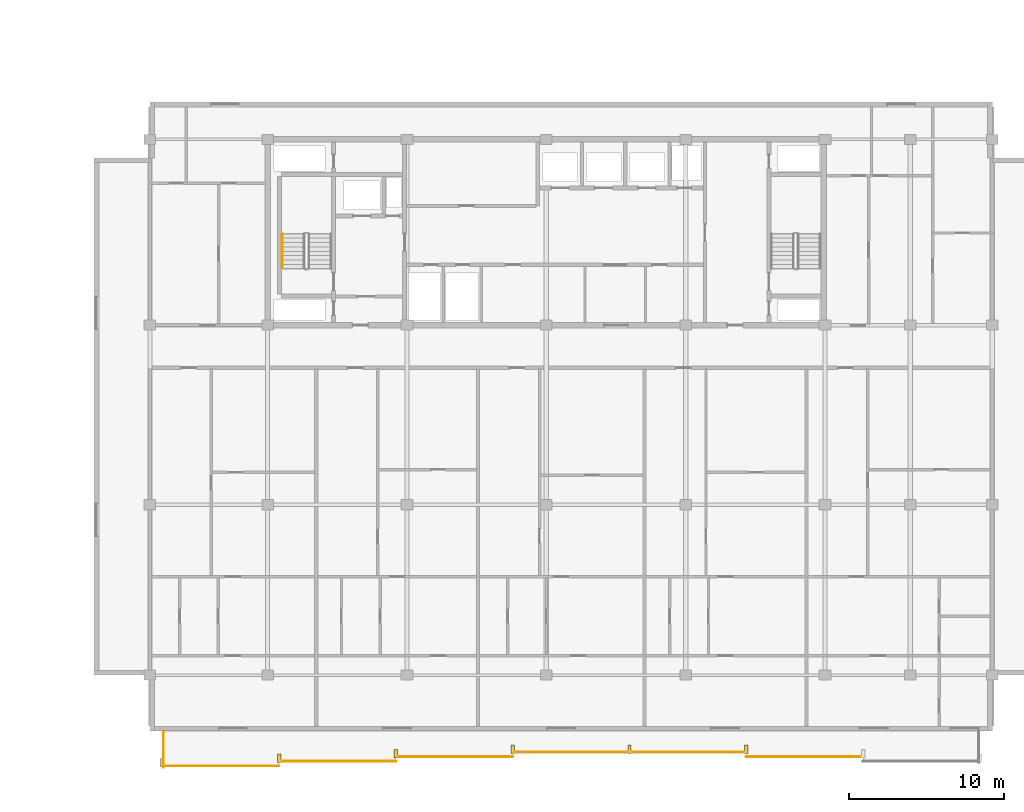
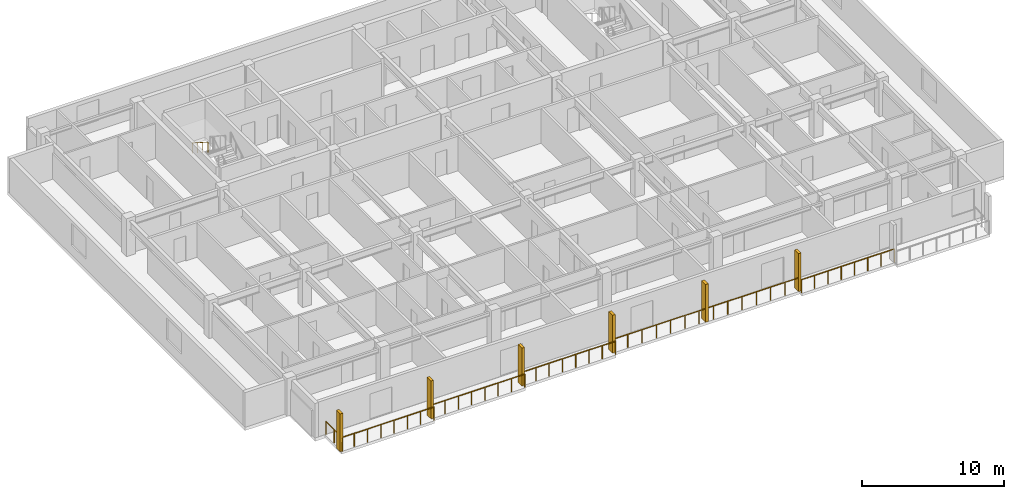
# One storey, part 17 of 21: 7 railings, 6 shading devices.
"""IFC4 building model written with IfcOpenShell, lengths in metres."""

from ifc_helpers import new_model, si_unit, direction, frame, origin, origin_2d, place, context, subcontext, project, spatial, rectangle, circle, extrude, material, type_object, element, save


model = new_model("IFC4")

# Units and contexts
model_context = context("Model", 3, precision=1e-05, world=origin(), true_north=direction((0.0, 1.0)))
body_context = subcontext(model_context, "Body", "Model", "MODEL_VIEW")
ifc_project = project(units=[si_unit("LENGTHUNIT", "METRE"), si_unit("AREAUNIT", "SQUARE_METRE"), si_unit("VOLUMEUNIT", "CUBIC_METRE"), si_unit("PLANEANGLEUNIT", "RADIAN"), si_unit("MASSUNIT", "GRAM", prefix="KILO")], contexts=[model_context])

# Site, building, storey
site_placement = place(None, origin())
site = spatial("IfcSite", under=ifc_project, at=site_placement, CompositionType="ELEMENT")
building_placement = place(site_placement, origin())
building = spatial("IfcBuilding", under=site, at=building_placement, Name="Korimba Cascade Residences", CompositionType="ELEMENT")
storey_placement = place(building_placement, frame((0.0, 0.0, 175.10009765625)))
storey = spatial("IfcBuildingStorey", under=building, at=storey_placement, Name="L50", CompositionType="ELEMENT", Elevation=175.10009765625)

# Railings
ifc_material_1 = material(Name="Laminated Glass and Bronze Balustrade", Category="glass")
railing_type_1 = type_object("IfcRailingType", Name="RLG-LOG-1150", PredefinedType="BALUSTRADE", material=ifc_material_1)
railing_1_placement = place(storey_placement, frame((75.300048828125, -10.070068359375, 0.0)))
element("IfcRailing", 1, at=railing_1_placement, inside=storey, type_object=railing_type_1, Name="L50 Perimeter Guardrail RLG-L50-T2-LOG-01", PredefinedType="BALUSTRADE", context=body_context, shape_type="SweptSolid", body=[
    extrude(circle(Radius=0.02392578125, at=origin_2d()), frame((0.0, 0.0, 1.1259765625), z_axis=(1.0, 0.0, 0.0), x_axis=(0.0, 1.0, 0.0)), (0.0, 0.0, 1.0), 7.54296875),
    extrude(circle(Radius=0.02099609375, at=origin_2d()), origin(), (0.0, 0.0, 1.0), 1.101806640625),
    extrude(circle(Radius=0.02099609375, at=origin_2d()), frame((1.07763671875, 0.0, 0.0)), (0.0, 0.0, 1.0), 1.101806640625),
    extrude(circle(Radius=0.02099609375, at=origin_2d()), frame((2.155029296875, 0.0, 0.0)), (0.0, 0.0, 1.0), 1.101806640625),
    extrude(circle(Radius=0.02099609375, at=origin_2d()), frame((3.232666015625, 0.0, 0.0)), (0.0, 0.0, 1.0), 1.101806640625),
    extrude(circle(Radius=0.02099609375, at=origin_2d()), frame((4.310302734375, 0.0, 0.0)), (0.0, 0.0, 1.0), 1.101806640625),
    extrude(circle(Radius=0.02099609375, at=origin_2d()), frame((5.387939453125, 0.0, 0.0)), (0.0, 0.0, 1.0), 1.101806640625),
    extrude(circle(Radius=0.02099609375, at=origin_2d()), frame((6.46533203125, 0.0, 0.0)), (0.0, 0.0, 1.0), 1.101806640625),
    extrude(circle(Radius=0.02099609375, at=origin_2d()), frame((7.54296875, 0.0, 0.0)), (0.0, 0.0, 1.0), 1.101806640625),
])
railing_2_placement = place(storey_placement, frame((82.843017578125, -9.77001953125, 0.0)))
element("IfcRailing", 2, at=railing_2_placement, inside=storey, type_object=railing_type_1, Name="L50 Perimeter Guardrail RLG-L50-T2-LOG-02", PredefinedType="BALUSTRADE", context=body_context, shape_type="SweptSolid", body=[
    extrude(circle(Radius=0.02392578125, at=origin_2d()), frame((0.0, 0.0, 1.1259765625), z_axis=(1.0, 0.0, 0.0), x_axis=(0.0, 1.0, 0.0)), (0.0, 0.0, 1.0), 7.542724609375),
    extrude(circle(Radius=0.02099609375, at=origin_2d()), origin(), (0.0, 0.0, 1.0), 1.101806640625),
    extrude(circle(Radius=0.02099609375, at=origin_2d()), frame((1.07763671875, 0.0, 0.0)), (0.0, 0.0, 1.0), 1.101806640625),
    extrude(circle(Radius=0.02099609375, at=origin_2d()), frame((2.155029296875, 0.0, 0.0)), (0.0, 0.0, 1.0), 1.101806640625),
    extrude(circle(Radius=0.02099609375, at=origin_2d()), frame((3.232666015625, 0.0, 0.0)), (0.0, 0.0, 1.0), 1.101806640625),
    extrude(circle(Radius=0.02099609375, at=origin_2d()), frame((4.31005859375, 0.0, 0.0)), (0.0, 0.0, 1.0), 1.101806640625),
    extrude(circle(Radius=0.02099609375, at=origin_2d()), frame((5.3876953125, 0.0, 0.0)), (0.0, 0.0, 1.0), 1.101806640625),
    extrude(circle(Radius=0.02099609375, at=origin_2d()), frame((6.465087890625, 0.0, 0.0)), (0.0, 0.0, 1.0), 1.101806640625),
    extrude(circle(Radius=0.02099609375, at=origin_2d()), frame((7.542724609375, 0.0, 0.0)), (0.0, 0.0, 1.0), 1.101806640625),
])
railing_3_placement = place(storey_placement, frame((90.3857421875, -9.469970703125, 0.0)))
element("IfcRailing", 3, at=railing_3_placement, inside=storey, type_object=railing_type_1, Name="L50 Perimeter Guardrail RLG-L50-T2-LOG-03", PredefinedType="BALUSTRADE", context=body_context, shape_type="SweptSolid", body=[
    extrude(circle(Radius=0.02392578125, at=origin_2d()), frame((0.0, 0.0, 1.1259765625), z_axis=(1.0, 0.0, 0.0), x_axis=(0.0, 1.0, 0.0)), (0.0, 0.0, 1.0), 7.54296875),
    extrude(circle(Radius=0.02099609375, at=origin_2d()), origin(), (0.0, 0.0, 1.0), 1.101806640625),
    extrude(circle(Radius=0.02099609375, at=origin_2d()), frame((1.07763671875, 0.0, 0.0)), (0.0, 0.0, 1.0), 1.101806640625),
    extrude(circle(Radius=0.02099609375, at=origin_2d()), frame((2.155029296875, 0.0, 0.0)), (0.0, 0.0, 1.0), 1.101806640625),
    extrude(circle(Radius=0.02099609375, at=origin_2d()), frame((3.232666015625, 0.0, 0.0)), (0.0, 0.0, 1.0), 1.101806640625),
    extrude(circle(Radius=0.02099609375, at=origin_2d()), frame((4.310302734375, 0.0, 0.0)), (0.0, 0.0, 1.0), 1.101806640625),
    extrude(circle(Radius=0.02099609375, at=origin_2d()), frame((5.387939453125, 0.0, 0.0)), (0.0, 0.0, 1.0), 1.101806640625),
    extrude(circle(Radius=0.02099609375, at=origin_2d()), frame((6.46533203125, 0.0, 0.0)), (0.0, 0.0, 1.0), 1.101806640625),
    extrude(circle(Radius=0.02099609375, at=origin_2d()), frame((7.54296875, 0.0, 0.0)), (0.0, 0.0, 1.0), 1.101806640625),
])
railing_4_placement = place(storey_placement, frame((97.9287109375, -9.169921875, 0.0)))
element("IfcRailing", 4, at=railing_4_placement, inside=storey, type_object=railing_type_1, Name="L50 Perimeter Guardrail RLG-L50-T2-LOG-04", PredefinedType="BALUSTRADE", context=body_context, shape_type="SweptSolid", body=[
    extrude(circle(Radius=0.02392578125, at=origin_2d()), frame((0.0, 0.0, 1.1259765625), z_axis=(1.0, 0.0, 0.0), x_axis=(0.0, 1.0, 0.0)), (0.0, 0.0, 1.0), 15.085693359375),
    extrude(circle(Radius=0.02099609375, at=origin_2d()), origin(), (0.0, 0.0, 1.0), 1.101806640625),
    extrude(circle(Radius=0.02099609375, at=origin_2d()), frame((1.160400390625, 0.0, 0.0)), (0.0, 0.0, 1.0), 1.101806640625),
    extrude(circle(Radius=0.02099609375, at=origin_2d()), frame((2.32080078125, 0.0, 0.0)), (0.0, 0.0, 1.0), 1.101806640625),
    extrude(circle(Radius=0.02099609375, at=origin_2d()), frame((3.481201171875, 0.0, 0.0)), (0.0, 0.0, 1.0), 1.101806640625),
    extrude(circle(Radius=0.02099609375, at=origin_2d()), frame((4.641845703125, 0.0, 0.0)), (0.0, 0.0, 1.0), 1.101806640625),
    extrude(circle(Radius=0.02099609375, at=origin_2d()), frame((5.80224609375, 0.0, 0.0)), (0.0, 0.0, 1.0), 1.101806640625),
    extrude(circle(Radius=0.02099609375, at=origin_2d()), frame((6.962646484375, 0.0, 0.0)), (0.0, 0.0, 1.0), 1.101806640625),
    extrude(circle(Radius=0.02099609375, at=origin_2d()), frame((8.123046875, 0.0, 0.0)), (0.0, 0.0, 1.0), 1.101806640625),
    extrude(circle(Radius=0.02099609375, at=origin_2d()), frame((9.283447265625, 0.0, 0.0)), (0.0, 0.0, 1.0), 1.101806640625),
    extrude(circle(Radius=0.02099609375, at=origin_2d()), frame((10.44384765625, 0.0, 0.0)), (0.0, 0.0, 1.0), 1.101806640625),
    extrude(circle(Radius=0.02099609375, at=origin_2d()), frame((11.6044921875, 0.0, 0.0)), (0.0, 0.0, 1.0), 1.101806640625),
    extrude(circle(Radius=0.02099609375, at=origin_2d()), frame((12.764892578125, 0.0, 0.0)), (0.0, 0.0, 1.0), 1.101806640625),
    extrude(circle(Radius=0.02099609375, at=origin_2d()), frame((13.92529296875, 0.0, 0.0)), (0.0, 0.0, 1.0), 1.101806640625),
    extrude(circle(Radius=0.02099609375, at=origin_2d()), frame((15.085693359375, 0.0, 0.0)), (0.0, 0.0, 1.0), 1.101806640625),
])
railing_5_placement = place(storey_placement, frame((113.014404296875, -9.469970703125, 0.0)))
element("IfcRailing", 5, at=railing_5_placement, inside=storey, type_object=railing_type_1, Name="L50 Perimeter Guardrail RLG-L50-T2-LOG-05", PredefinedType="BALUSTRADE", context=body_context, shape_type="SweptSolid", body=[
    extrude(circle(Radius=0.02392578125, at=origin_2d()), frame((0.0, 0.0, 1.1259765625), z_axis=(1.0, 0.0, 0.0), x_axis=(0.0, 1.0, 0.0)), (0.0, 0.0, 1.0), 7.542724609375),
    extrude(circle(Radius=0.02099609375, at=origin_2d()), origin(), (0.0, 0.0, 1.0), 1.101806640625),
    extrude(circle(Radius=0.02099609375, at=origin_2d()), frame((1.07763671875, 0.0, 0.0)), (0.0, 0.0, 1.0), 1.101806640625),
    extrude(circle(Radius=0.02099609375, at=origin_2d()), frame((2.155029296875, 0.0, 0.0)), (0.0, 0.0, 1.0), 1.101806640625),
    extrude(circle(Radius=0.02099609375, at=origin_2d()), frame((3.232666015625, 0.0, 0.0)), (0.0, 0.0, 1.0), 1.101806640625),
    extrude(circle(Radius=0.02099609375, at=origin_2d()), frame((4.31005859375, 0.0, 0.0)), (0.0, 0.0, 1.0), 1.101806640625),
    extrude(circle(Radius=0.02099609375, at=origin_2d()), frame((5.3876953125, 0.0, 0.0)), (0.0, 0.0, 1.0), 1.101806640625),
    extrude(circle(Radius=0.02099609375, at=origin_2d()), frame((6.465087890625, 0.0, 0.0)), (0.0, 0.0, 1.0), 1.101806640625),
    extrude(circle(Radius=0.02099609375, at=origin_2d()), frame((7.542724609375, 0.0, 0.0)), (0.0, 0.0, 1.0), 1.101806640625),
])
railing_6_placement = place(storey_placement, frame((75.3798828125, -7.800048828125, 0.0)))
element("IfcRailing", 6, at=railing_6_placement, inside=storey, type_object=railing_type_1, Name="L50 Perimeter Guardrail RLG-L50-T2-LOG-08", PredefinedType="BALUSTRADE", context=body_context, shape_type="SweptSolid", body=[
    extrude(circle(Radius=0.02392578125, at=origin_2d()), frame((0.0, 0.0, 1.1259765625), z_axis=(0.0, -1.0, 0.0), x_axis=(1.0, 0.0, 0.0)), (0.0, 0.0, 1.0), 2.349853515625),
    extrude(circle(Radius=0.02099609375, at=origin_2d()), origin(), (0.0, 0.0, 1.0), 1.101806640625),
    extrude(circle(Radius=0.02099609375, at=origin_2d()), frame((0.0, -1.1748046875, 0.0)), (0.0, 0.0, 1.0), 1.101806640625),
    extrude(circle(Radius=0.02099609375, at=origin_2d()), frame((0.0, -2.349853515625, 0.0)), (0.0, 0.0, 1.0), 1.101806640625),
])
ifc_material_2 = material(Name="Brushed Stainless Steel Handrail", Category="steel")
railing_type_2 = type_object("IfcRailingType", Name="RLG-ST-HR900", PredefinedType="HANDRAIL", material=ifc_material_2)
railing_7_placement = place(storey_placement, frame((83.050048828125, 24.2900390625, 1.98974609375)))
element("IfcRailing", 7, at=railing_7_placement, inside=storey, type_object=railing_type_2, Name="L50 ST-E1 stair handrail 2", PredefinedType="HANDRAIL", context=body_context, shape_type="SweptSolid", body=[
    extrude(circle(Radius=0.02392578125, at=origin_2d()), frame((0.0, 0.0, 0.8759765625), z_axis=(0.0, -0.840394893359, 0.541974559565), x_axis=(1.0, 0.0, 0.0)), (0.0, 0.0, 1.0), 2.665283203125),
    extrude(circle(Radius=0.02099609375, at=origin_2d()), origin(), (0.0, 0.0, 1.0), 0.851806640625),
    extrude(circle(Radius=0.02099609375, at=origin_2d()), frame((0.0, -0.74658203125, 0.4814453125)), (0.0, 0.0, 1.0), 0.851806640625),
    extrude(circle(Radius=0.02099609375, at=origin_2d()), frame((0.0, -1.493408203125, 0.963134765625)), (0.0, 0.0, 1.0), 0.851806640625),
    extrude(circle(Radius=0.02099609375, at=origin_2d()), frame((0.0, -2.239990234375, 1.444580078125)), (0.0, 0.0, 1.0), 0.851806640625),
])

# Shading devices
ifc_material_3 = material(Name="Honed Sandstone Precast Fin", Category="masonry")
shading_device_type = type_object("IfcShadingDeviceType", Name="SHD-FIN-550", PredefinedType="USERDEFINED", material=ifc_material_3)
for number, where, z_axis, x_axis, name in (
    (8, (75.300048828125, -9.875, 0.0), (0.0, 0.0, 1.0), (1.0, 0.0, 0.0), "L50 T2 Warm-Stone Loggia Fin 1"),
    (9, (82.843017578125, -9.574951171875, 0.0), (0.0, 0.0, 1.0), (1.0, 0.0, 0.0), "L50 T2 Warm-Stone Loggia Fin 2"),
    (10, (90.3857421875, -9.27490234375, 0.0), (0.0, 0.0, 1.0), (1.0, 0.0, 0.0), "L50 T2 Warm-Stone Loggia Fin 3"),
    (11, (97.9287109375, -8.97509765625, 0.0), (0.0, 0.0, 1.0), (1.0, 0.0, 0.0), "L50 T2 Warm-Stone Loggia Fin 4"),
    (12, (105.471435546875, -8.97509765625, 0.0), (0.0, 0.0, 1.0), (1.0, 0.0, 0.0), "L50 T2 Warm-Stone Loggia Fin 5"),
    (13, (113.014404296875, -8.97509765625, 0.0), (0.0, 0.0, 1.0), (1.0, 0.0, 0.0), "L50 T2 Warm-Stone Loggia Fin 6"),
):
    element("IfcShadingDevice", number, at=place(storey_placement, frame(where, z_axis=z_axis, x_axis=x_axis)), inside=storey, type_object=shading_device_type, Name=name, ObjectType="FIN", PredefinedType="USERDEFINED", context=body_context, shape_type="SweptSolid", body=[
        extrude(rectangle(XDim=0.219970703125, YDim=0.550048828125, at=origin_2d()), origin(), (0.0, 0.0, 1.0), 3.25),
    ])

save(model, "model.ifc")
